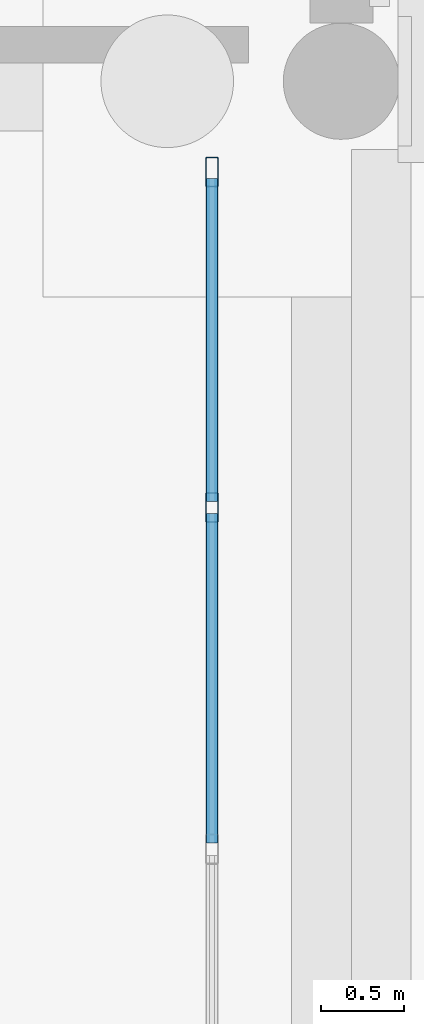
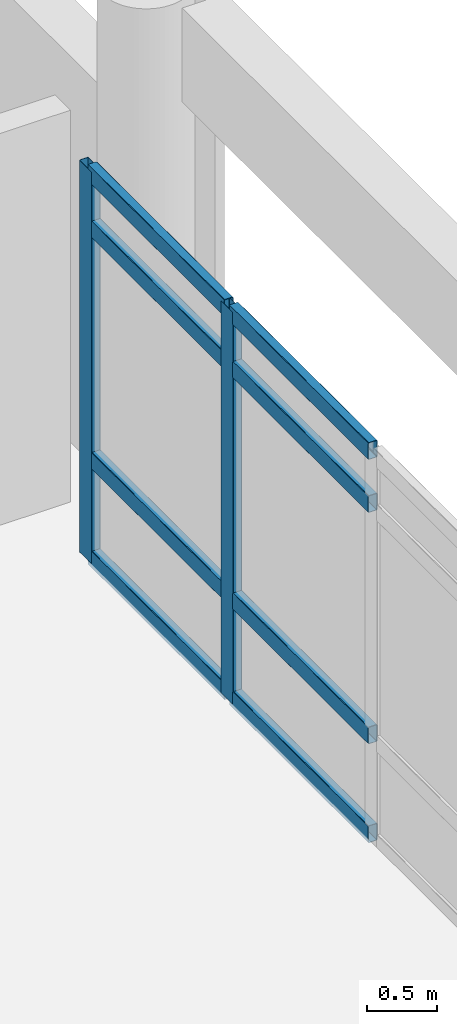
# One storey, part 139 of 196: 10 members, 1 element without a shape of its own.
"""IFC4 building model written with IfcOpenShell, lengths in metres."""

from ifc_helpers import new_model, si_unit, direction, frame, origin, origin_2d, place, context, subcontext, project, spatial, hollow_rectangle, extrude, material, layer, layer_set, material_profile, profile_set, type_object, element, aggregate, save


model = new_model("IFC4")

# Units and contexts
model_context = context("Model", 3, precision=1e-05, world=origin(), true_north=direction((0.0, 1.0)))
body_context = subcontext(model_context, "Body", "Model", "MODEL_VIEW")
ifc_project = project(units=[si_unit("LENGTHUNIT", "METRE"), si_unit("AREAUNIT", "SQUARE_METRE"), si_unit("VOLUMEUNIT", "CUBIC_METRE"), si_unit("PLANEANGLEUNIT", "RADIAN"), si_unit("MASSUNIT", "GRAM", prefix="KILO")], contexts=[model_context])

# Site, building, storey
site_placement = place(None, origin())
site = spatial("IfcSite", under=ifc_project, at=site_placement, CompositionType="ELEMENT")
building_placement = place(site_placement, origin())
building = spatial("IfcBuilding", under=site, at=building_placement, Name="Asteropetra Specialist Clinic", CompositionType="ELEMENT")
storey_placement = place(building_placement, origin())
storey = spatial("IfcBuildingStorey", under=building, at=storey_placement, Name="L00", CompositionType="ELEMENT", Elevation=0.0)

# Curtain wall, members
ifc_material_1 = material(Name="Aluminium and low-E glass", Category="aluminium")
ifc_layer = layer(ifc_material_1, 0.179931640625)
ifc_layer_set = layer_set([ifc_layer], Name="Aluminium and low-E glass")
curtain_wall_type = type_object("IfcCurtainWallType", Name="CW-SYS-01", PredefinedType="USERDEFINED", material=ifc_layer_set)
curtain_wall_placement = place(storey_placement, origin())
curtain_wall = element("IfcCurtainWall", 1, at=curtain_wall_placement, inside=storey, type_object=curtain_wall_type, Name="Curtain Wall CW-216", ObjectType="UNITISED CURTAIN WALL", PredefinedType="USERDEFINED")
ifc_material_2 = material(Name="Aluminium 6063-T6", Category="aluminium")
ifc_material_profile_1 = material_profile(ifc_material_2, hollow_rectangle(XDim=0.074951171875, YDim=0.179931640625, WallThickness=0.00390625, InnerFilletRadius=0.00390625, OuterFilletRadius=0.008056640625, at=origin_2d()), Name="MUL 180x75x4.0")
ifc_profile_set_1 = profile_set([ifc_material_profile_1], Name="Aluminium 6063-T6")
member_type_1 = type_object("IfcMemberType", Name="CWM-180x75", PredefinedType="MULLION", material=ifc_profile_set_1)
member_1_placement = place(storey_placement, frame((152.820068359375, 95.830078125, 0.0), z_axis=(0.0, 0.0, 1.0), x_axis=(-1.0, 0.0, 0.0)))
member_1 = element("IfcMember", 2, at=member_1_placement, type_object=member_type_1, Name="CW-216 mullion 3", PredefinedType="MULLION", context=body_context, shape_type="SweptSolid", body=[
    extrude(hollow_rectangle(XDim=0.074951171875, YDim=0.179931640625, WallThickness=0.00390625, InnerFilletRadius=0.00390625, OuterFilletRadius=0.008056640625, at=origin_2d()), origin(), (0.0, 0.0, 1.0), 3.419921875),
])
member_2_placement = place(storey_placement, frame((152.820068359375, 97.8525390625, 0.0), z_axis=(0.0, 0.0, 1.0), x_axis=(-1.0, 0.0, 0.0)))
member_2 = element("IfcMember", 3, at=member_2_placement, type_object=member_type_1, Name="CW-216 mullion 4", PredefinedType="MULLION", context=body_context, shape_type="SweptSolid", body=[
    extrude(hollow_rectangle(XDim=0.074951171875, YDim=0.179931640625, WallThickness=0.00390625, InnerFilletRadius=0.00390625, OuterFilletRadius=0.008056640625, at=origin_2d()), origin(), (0.0, 0.0, 1.0), 3.419921875),
])
ifc_material_3 = material(Name="Aluminium 6063-T6", Category="aluminium")
ifc_material_profile_2 = material_profile(ifc_material_3, hollow_rectangle(XDim=0.074951171875, YDim=0.14990234375, WallThickness=0.00390625, InnerFilletRadius=0.00390625, OuterFilletRadius=0.008056640625, at=origin_2d()), Name="TRN 150x75x4.0")
ifc_profile_set_2 = profile_set([ifc_material_profile_2], Name="Aluminium 6063-T6")
member_type_2 = type_object("IfcMemberType", Name="CWT-150x75", PredefinedType="USERDEFINED", material=ifc_profile_set_2)
member_3_placement = place(storey_placement, frame((152.820068359375, 93.8076171875, 0.03759765625), z_axis=(0.0, 1.0, 0.0), x_axis=(-1.0, 0.0, 0.0)))
member_3 = element("IfcMember", 4, at=member_3_placement, type_object=member_type_2, Name="CW-216 transom 2.1", ObjectType="TRANSOM", PredefinedType="USERDEFINED", context=body_context, shape_type="SweptSolid", body=[
    extrude(hollow_rectangle(XDim=0.074951171875, YDim=0.14990234375, WallThickness=0.00390625, InnerFilletRadius=0.00390625, OuterFilletRadius=0.008056640625, at=origin_2d()), origin(), (0.0, 0.0, 1.0), 1.98486328125),
])
member_4_placement = place(storey_placement, frame((152.820068359375, 93.8076171875, 0.89990234375), z_axis=(0.0, 1.0, 0.0), x_axis=(-1.0, 0.0, 0.0)))
member_4 = element("IfcMember", 5, at=member_4_placement, type_object=member_type_2, Name="CW-216 transom 2.2", ObjectType="TRANSOM", PredefinedType="USERDEFINED", context=body_context, shape_type="SweptSolid", body=[
    extrude(hollow_rectangle(XDim=0.074951171875, YDim=0.14990234375, WallThickness=0.00390625, InnerFilletRadius=0.00390625, OuterFilletRadius=0.008056640625, at=origin_2d()), origin(), (0.0, 0.0, 1.0), 1.98486328125),
])
member_5_placement = place(storey_placement, frame((152.820068359375, 93.8076171875, 2.919921875), z_axis=(0.0, 1.0, 0.0), x_axis=(-1.0, 0.0, 0.0)))
member_5 = element("IfcMember", 6, at=member_5_placement, type_object=member_type_2, Name="CW-216 transom 2.3", ObjectType="TRANSOM", PredefinedType="USERDEFINED", context=body_context, shape_type="SweptSolid", body=[
    extrude(hollow_rectangle(XDim=0.074951171875, YDim=0.14990234375, WallThickness=0.00390625, InnerFilletRadius=0.00390625, OuterFilletRadius=0.008056640625, at=origin_2d()), origin(), (0.0, 0.0, 1.0), 1.98486328125),
])
member_6_placement = place(storey_placement, frame((152.820068359375, 93.8076171875, 3.382568359375), z_axis=(0.0, 1.0, 0.0), x_axis=(-1.0, 0.0, 0.0)))
member_6 = element("IfcMember", 7, at=member_6_placement, type_object=member_type_2, Name="CW-216 transom 2.4", ObjectType="TRANSOM", PredefinedType="USERDEFINED", context=body_context, shape_type="SweptSolid", body=[
    extrude(hollow_rectangle(XDim=0.074951171875, YDim=0.14990234375, WallThickness=0.00390625, InnerFilletRadius=0.00390625, OuterFilletRadius=0.008056640625, at=origin_2d()), origin(), (0.0, 0.0, 1.0), 1.98486328125),
])
member_7_placement = place(storey_placement, frame((152.820068359375, 95.867431640625, 0.03759765625), z_axis=(0.0, 1.0, 0.0), x_axis=(-1.0, 0.0, 0.0)))
member_7 = element("IfcMember", 8, at=member_7_placement, type_object=member_type_2, Name="CW-216 transom 3.1", ObjectType="TRANSOM", PredefinedType="USERDEFINED", context=body_context, shape_type="SweptSolid", body=[
    extrude(hollow_rectangle(XDim=0.074951171875, YDim=0.14990234375, WallThickness=0.00390625, InnerFilletRadius=0.00390625, OuterFilletRadius=0.008056640625, at=origin_2d()), origin(), (0.0, 0.0, 1.0), 1.947509765625),
])
member_8_placement = place(storey_placement, frame((152.820068359375, 95.867431640625, 0.89990234375), z_axis=(0.0, 1.0, 0.0), x_axis=(-1.0, 0.0, 0.0)))
member_8 = element("IfcMember", 9, at=member_8_placement, type_object=member_type_2, Name="CW-216 transom 3.2", ObjectType="TRANSOM", PredefinedType="USERDEFINED", context=body_context, shape_type="SweptSolid", body=[
    extrude(hollow_rectangle(XDim=0.074951171875, YDim=0.14990234375, WallThickness=0.00390625, InnerFilletRadius=0.00390625, OuterFilletRadius=0.008056640625, at=origin_2d()), origin(), (0.0, 0.0, 1.0), 1.947509765625),
])
member_9_placement = place(storey_placement, frame((152.820068359375, 95.867431640625, 2.919921875), z_axis=(0.0, 1.0, 0.0), x_axis=(-1.0, 0.0, 0.0)))
member_9 = element("IfcMember", 10, at=member_9_placement, type_object=member_type_2, Name="CW-216 transom 3.3", ObjectType="TRANSOM", PredefinedType="USERDEFINED", context=body_context, shape_type="SweptSolid", body=[
    extrude(hollow_rectangle(XDim=0.074951171875, YDim=0.14990234375, WallThickness=0.00390625, InnerFilletRadius=0.00390625, OuterFilletRadius=0.008056640625, at=origin_2d()), origin(), (0.0, 0.0, 1.0), 1.947509765625),
])
member_10_placement = place(storey_placement, frame((152.820068359375, 95.867431640625, 3.382568359375), z_axis=(0.0, 1.0, 0.0), x_axis=(-1.0, 0.0, 0.0)))
member_10 = element("IfcMember", 11, at=member_10_placement, type_object=member_type_2, Name="CW-216 transom 3.4", ObjectType="TRANSOM", PredefinedType="USERDEFINED", context=body_context, shape_type="SweptSolid", body=[
    extrude(hollow_rectangle(XDim=0.074951171875, YDim=0.14990234375, WallThickness=0.00390625, InnerFilletRadius=0.00390625, OuterFilletRadius=0.008056640625, at=origin_2d()), origin(), (0.0, 0.0, 1.0), 1.947509765625),
])
aggregate(curtain_wall, [member_1, member_2, member_3, member_4, member_5, member_6, member_7, member_8, member_9, member_10])

save(model, "model.ifc")
